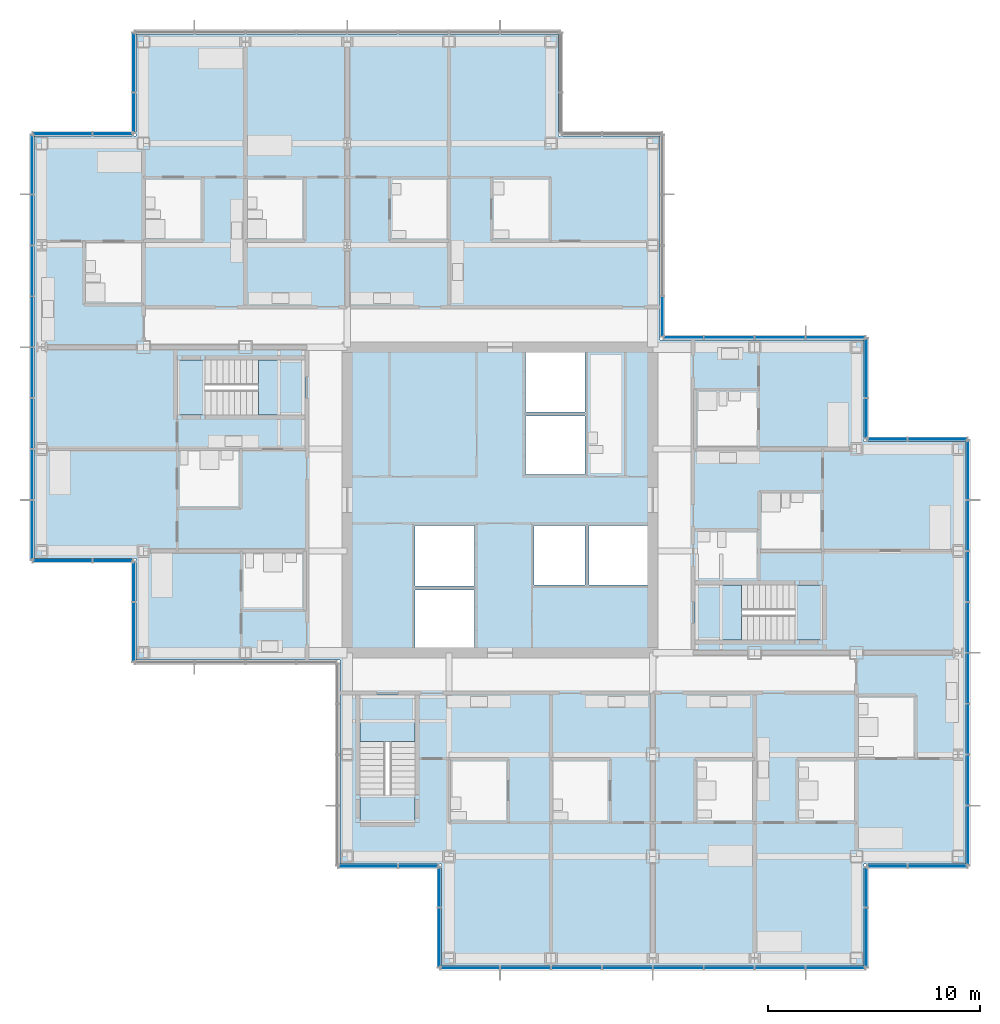
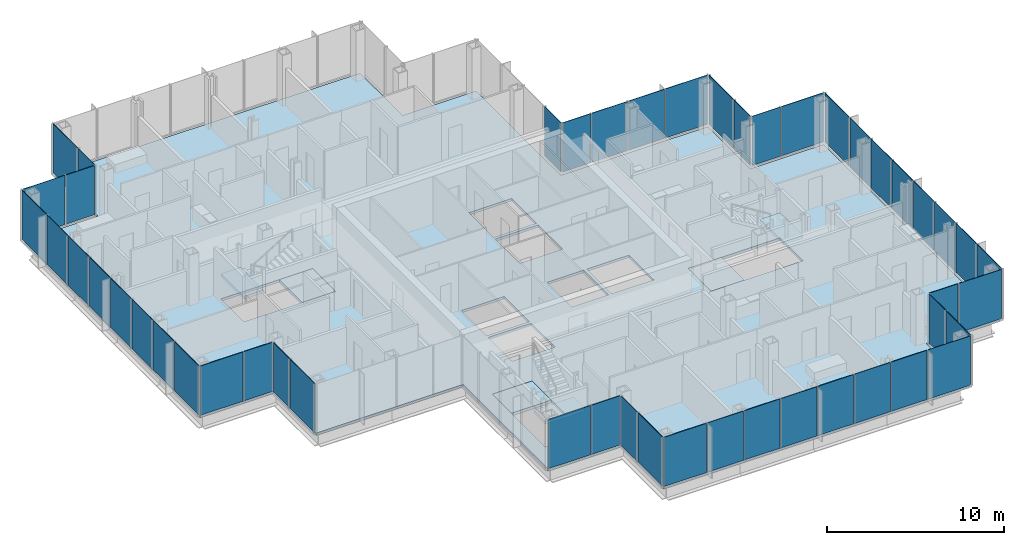
# One storey, part 12 of 20: 49 plates, 7 slabs, 18 elements without a shape of their own.
"""IFC4 building model written with IfcOpenShell, lengths in metres."""

from ifc_helpers import new_model, si_unit, direction, frame, origin, origin_2d, place, context, subcontext, project, spatial, polyline, rectangle, outline, extrude, material, layer, layer_set, type_object, element, aggregate, save


model = new_model("IFC4")

# Units and contexts
model_context = context("Model", 3, precision=1e-05, world=origin(), true_north=direction((0.0, 1.0)))
body_context = subcontext(model_context, "Body", "Model", "MODEL_VIEW")
ifc_project = project(units=[si_unit("LENGTHUNIT", "METRE"), si_unit("AREAUNIT", "SQUARE_METRE"), si_unit("VOLUMEUNIT", "CUBIC_METRE"), si_unit("PLANEANGLEUNIT", "RADIAN"), si_unit("MASSUNIT", "GRAM", prefix="KILO")], contexts=[model_context])

# Site, building, storey
site_placement = place(None, origin())
site = spatial("IfcSite", under=ifc_project, at=site_placement, CompositionType="ELEMENT")
building_placement = place(site_placement, origin())
building = spatial("IfcBuilding", under=site, at=building_placement, Name="Kvirike Care Tower", CompositionType="ELEMENT")
storey_placement = place(building_placement, frame((0.0, 0.0, 112.0)))
storey = spatial("IfcBuildingStorey", under=building, at=storey_placement, Name="L30", CompositionType="ELEMENT", Elevation=112.0)

# Slab
ifc_material_1 = material(Name="Concrete C35/45", Category="concrete")
ifc_layer_1 = layer(ifc_material_1, 0.169921875)
ifc_layer_set_1 = layer_set([ifc_layer_1], Name="FLOOR SLAB 170")
slab_type_1 = type_object("IfcSlabType", Name="FLOOR SLAB 170", PredefinedType="FLOOR", material=ifc_layer_set_1)
slab_1_placement = place(storey_placement, frame((0.0, 0.0, -0.169921875)))
element("IfcSlab", 1, at=slab_1_placement, inside=storey, type_object=slab_type_1, Name="Floor slab L30", PredefinedType="FLOOR", context=body_context, shape_type="SweptSolid", body=[
    extrude(outline(polyline([(43.550048828125, 18.85009765625), (43.550048828125, 38.75), (38.75, 38.75), (38.75, 43.550048828125), (29.14990234375, 43.550048828125), (29.14990234375, 53.14990234375), (24.35009765625, 53.14990234375), (24.35009765625, 57.949951171875), (4.449951171875, 57.949951171875), (4.449951171875, 53.14990234375), (-0.35009765625, 53.14990234375), (-0.35009765625, 33.25), (4.449951171875, 33.25), (4.449951171875, 28.449951171875), (14.050048828125, 28.449951171875), (14.050048828125, 18.85009765625), (18.85009765625, 18.85009765625), (18.85009765625, 14.050048828125), (38.75, 14.050048828125), (38.75, 18.85009765625), (43.550048828125, 18.85009765625)]), holes=[polyline([(17.60009765625, 29.050048828125), (17.60009765625, 31.75), (20.39990234375, 31.75), (20.39990234375, 29.050048828125), (17.60009765625, 29.050048828125)]), polyline([(17.60009765625, 31.949951171875), (17.60009765625, 34.800048828125), (20.39990234375, 34.800048828125), (20.39990234375, 31.949951171875), (17.60009765625, 31.949951171875)]), polyline([(22.800048828125, 37.199951171875), (22.800048828125, 39.949951171875), (25.60009765625, 39.949951171875), (25.60009765625, 37.199951171875), (22.800048828125, 37.199951171875)]), polyline([(22.800048828125, 40.14990234375), (22.800048828125, 42.949951171875), (25.60009765625, 42.949951171875), (25.60009765625, 40.14990234375), (22.800048828125, 40.14990234375)]), polyline([(23.199951171875, 32.0), (23.199951171875, 34.800048828125), (25.60009765625, 34.800048828125), (25.60009765625, 32.0), (23.199951171875, 32.0)]), polyline([(25.800048828125, 32.0), (25.800048828125, 34.800048828125), (28.550048828125, 34.800048828125), (28.550048828125, 32.0), (25.800048828125, 32.0)]), polyline([(12.39990234375, 42.60009765625), (12.39990234375, 40.0), (6.39990234375, 40.0), (6.39990234375, 42.60009765625), (12.39990234375, 42.60009765625)]), polyline([(30.800048828125, 29.39990234375), (30.800048828125, 32.0), (36.800048828125, 32.0), (36.800048828125, 29.39990234375), (30.800048828125, 29.39990234375)]), polyline([(15.0, 26.800048828125), (17.60009765625, 26.800048828125), (17.60009765625, 20.800048828125), (15.0, 20.800048828125), (15.0, 26.800048828125)])]), origin(), (0.0, 0.0, 1.0), 0.169921875),
])

# Stair, slabs
ifc_material_2 = material(Name="Concrete C35/45", Category="concrete")
stair_type = type_object("IfcStairType", Name="STAIR 20 RISERS", PredefinedType="HALF_TURN_STAIR", material=ifc_material_2)
stair_1_placement = place(storey_placement, origin())
stair_1 = element("IfcStair", 2, at=stair_1_placement, inside=storey, type_object=stair_type, Name="Stair 1 L30", PredefinedType="HALF_TURN_STAIR")
ifc_material_3 = material(Name="Concrete C35/45", Category="concrete")
ifc_layer_2 = layer(ifc_material_3, 0.199951171875)
ifc_layer_set_2 = layer_set([ifc_layer_2], Name="STAIR LANDING 200")
slab_type_2 = type_object("IfcSlabType", Name="STAIR LANDING 200", PredefinedType="LANDING", material=ifc_layer_set_2)
slab_2_placement = place(storey_placement, frame((0.0, 0.0, -0.199951171875)))
slab_2 = element("IfcSlab", 3, at=slab_2_placement, type_object=slab_type_2, Name="Stair S1 floor landing L30", PredefinedType="LANDING", context=body_context, shape_type="SweptSolid", body=[
    extrude(outline(polyline([(10.219970703125, 42.60009765625), (10.219970703125, 40.0), (12.39990234375, 40.0), (12.39990234375, 42.60009765625), (10.219970703125, 42.60009765625)])), origin(), (0.0, 0.0, 1.0), 0.199951171875),
])
slab_3_placement = place(storey_placement, frame((0.0, 0.0, 1.550048828125)))
slab_3 = element("IfcSlab", 4, at=slab_3_placement, type_object=slab_type_2, Name="Stair S1 half landing L30-L31", PredefinedType="LANDING", context=body_context, shape_type="SweptSolid", body=[
    extrude(outline(polyline([(6.39990234375, 42.60009765625), (6.39990234375, 40.0), (7.699951171875, 40.0), (7.699951171875, 42.60009765625), (6.39990234375, 42.60009765625)])), origin(), (0.0, 0.0, 1.0), 0.199951171875),
])
aggregate(stair_1, [slab_2, slab_3])

stair_2_placement = place(storey_placement, origin())
stair_2 = element("IfcStair", 5, at=stair_2_placement, inside=storey, type_object=stair_type, Name="Stair 2 L30", PredefinedType="HALF_TURN_STAIR")
slab_4_placement = place(storey_placement, frame((0.0, 0.0, -0.199951171875)))
slab_4 = element("IfcSlab", 6, at=slab_4_placement, type_object=slab_type_2, Name="Stair S2 floor landing L30", PredefinedType="LANDING", context=body_context, shape_type="SweptSolid", body=[
    extrude(outline(polyline([(32.97998046875, 29.39990234375), (32.97998046875, 32.0), (30.800048828125, 32.0), (30.800048828125, 29.39990234375), (32.97998046875, 29.39990234375)])), origin(), (0.0, 0.0, 1.0), 0.199951171875),
])
slab_5_placement = place(storey_placement, frame((0.0, 0.0, 1.550048828125)))
slab_5 = element("IfcSlab", 7, at=slab_5_placement, type_object=slab_type_2, Name="Stair S2 half landing L30-L31", PredefinedType="LANDING", context=body_context, shape_type="SweptSolid", body=[
    extrude(outline(polyline([(36.800048828125, 29.39990234375), (36.800048828125, 32.0), (35.5, 32.0), (35.5, 29.39990234375), (36.800048828125, 29.39990234375)])), origin(), (0.0, 0.0, 1.0), 0.199951171875),
])
aggregate(stair_2, [slab_4, slab_5])

stair_3_placement = place(storey_placement, origin())
stair_3 = element("IfcStair", 8, at=stair_3_placement, inside=storey, type_object=stair_type, Name="Stair 5 L30", PredefinedType="HALF_TURN_STAIR")
slab_6_placement = place(storey_placement, frame((0.0, 0.0, -0.199951171875)))
slab_6 = element("IfcSlab", 9, at=slab_6_placement, type_object=slab_type_2, Name="Stair S5 floor landing L30", PredefinedType="LANDING", context=body_context, shape_type="SweptSolid", body=[
    extrude(outline(polyline([(15.0, 24.6201171875), (17.60009765625, 24.6201171875), (17.60009765625, 26.800048828125), (15.0, 26.800048828125), (15.0, 24.6201171875)])), origin(), (0.0, 0.0, 1.0), 0.199951171875),
])
slab_7_placement = place(storey_placement, frame((0.0, 0.0, 1.550048828125)))
slab_7 = element("IfcSlab", 10, at=slab_7_placement, type_object=slab_type_2, Name="Stair S5 half landing L30-L31", PredefinedType="LANDING", context=body_context, shape_type="SweptSolid", body=[
    extrude(outline(polyline([(15.0, 20.800048828125), (17.60009765625, 20.800048828125), (17.60009765625, 22.10009765625), (15.0, 22.10009765625), (15.0, 20.800048828125)])), origin(), (0.0, 0.0, 1.0), 0.199951171875),
])
aggregate(stair_3, [slab_6, slab_7])

# Curtain wall, plates
ifc_material_4 = material(Name="Anodised aluminium stick system", Category="aluminium")
curtain_wall_type = type_object("IfcCurtainWallType", Name="CW-B STICK CURTAIN WALL", PredefinedType="NOTDEFINED", material=ifc_material_4)
curtain_wall_1_placement = place(storey_placement, origin())
curtain_wall_1 = element("IfcCurtainWall", 11, at=curtain_wall_1_placement, inside=storey, type_object=curtain_wall_type, Name="Curtain wall L30 face 1", PredefinedType="NOTDEFINED")
ifc_material_5 = material(Name="Tinted double glazed unit", Category="glass")
ifc_layer_3 = layer(ifc_material_5, 0.035888671875)
ifc_layer_set_3 = layer_set([ifc_layer_3], Name="TINTED VISION PANEL 36")
plate_type = type_object("IfcPlateType", Name="TINTED VISION PANEL 36", PredefinedType="CURTAIN_PANEL", material=ifc_layer_set_3)
plate_1_placement = place(storey_placement, frame((43.659912109375, 20.186279296875, 0.10009765625), z_axis=(0.0, 0.0, 1.0), x_axis=(0.0, 1.0, 0.0)))
plate_1 = element("IfcPlate", 12, at=plate_1_placement, type_object=plate_type, Name="CW-B panel L30 face 1.1", PredefinedType="CURTAIN_PANEL", context=body_context, shape_type="SweptSolid", body=[
    extrude(rectangle(XDim=2.762451171875, YDim=0.035888671875, at=origin_2d()), origin(), (0.0, 0.0, 1.0), 3.39990234375),
])
plate_2_placement = place(storey_placement, frame((43.659912109375, 22.800048828125, 0.10009765625), z_axis=(0.0, 0.0, 1.0), x_axis=(0.0, 1.0, 0.0)))
plate_2 = element("IfcPlate", 13, at=plate_2_placement, type_object=plate_type, Name="CW-B panel L30 face 1.2", PredefinedType="CURTAIN_PANEL", context=body_context, shape_type="SweptSolid", body=[
    extrude(rectangle(XDim=2.3349609375, YDim=0.035888671875, at=origin_2d()), origin(), (0.0, 0.0, 1.0), 3.39990234375),
])
plate_3_placement = place(storey_placement, frame((43.659912109375, 25.199951171875, 0.10009765625), z_axis=(0.0, 0.0, 1.0), x_axis=(0.0, 1.0, 0.0)))
plate_3 = element("IfcPlate", 14, at=plate_3_placement, type_object=plate_type, Name="CW-B panel L30 face 1.3", PredefinedType="CURTAIN_PANEL", context=body_context, shape_type="SweptSolid", body=[
    extrude(rectangle(XDim=2.3349609375, YDim=0.035888671875, at=origin_2d()), origin(), (0.0, 0.0, 1.0), 3.39990234375),
])
plate_4_placement = place(storey_placement, frame((43.659912109375, 27.60009765625, 0.10009765625), z_axis=(0.0, 0.0, 1.0), x_axis=(0.0, 1.0, 0.0)))
plate_4 = element("IfcPlate", 15, at=plate_4_placement, type_object=plate_type, Name="CW-B panel L30 face 1.4", PredefinedType="CURTAIN_PANEL", context=body_context, shape_type="SweptSolid", body=[
    extrude(rectangle(XDim=2.3349609375, YDim=0.035888671875, at=origin_2d()), origin(), (0.0, 0.0, 1.0), 3.39990234375),
])
plate_5_placement = place(storey_placement, frame((43.659912109375, 30.0, 0.10009765625), z_axis=(0.0, 0.0, 1.0), x_axis=(0.0, 1.0, 0.0)))
plate_5 = element("IfcPlate", 16, at=plate_5_placement, type_object=plate_type, Name="CW-B panel L30 face 1.5", PredefinedType="CURTAIN_PANEL", context=body_context, shape_type="SweptSolid", body=[
    extrude(rectangle(XDim=2.3349609375, YDim=0.035888671875, at=origin_2d()), origin(), (0.0, 0.0, 1.0), 3.39990234375),
])
plate_6_placement = place(storey_placement, frame((43.659912109375, 32.39990234375, 0.10009765625), z_axis=(0.0, 0.0, 1.0), x_axis=(0.0, 1.0, 0.0)))
plate_6 = element("IfcPlate", 17, at=plate_6_placement, type_object=plate_type, Name="CW-B panel L30 face 1.6", PredefinedType="CURTAIN_PANEL", context=body_context, shape_type="SweptSolid", body=[
    extrude(rectangle(XDim=2.3349609375, YDim=0.035888671875, at=origin_2d()), origin(), (0.0, 0.0, 1.0), 3.39990234375),
])
plate_7_placement = place(storey_placement, frame((43.659912109375, 34.800048828125, 0.10009765625), z_axis=(0.0, 0.0, 1.0), x_axis=(0.0, 1.0, 0.0)))
plate_7 = element("IfcPlate", 18, at=plate_7_placement, type_object=plate_type, Name="CW-B panel L30 face 1.7", PredefinedType="CURTAIN_PANEL", context=body_context, shape_type="SweptSolid", body=[
    extrude(rectangle(XDim=2.3349609375, YDim=0.035888671875, at=origin_2d()), origin(), (0.0, 0.0, 1.0), 3.39990234375),
])
plate_8_placement = place(storey_placement, frame((43.659912109375, 37.413818359375, 0.10009765625), z_axis=(0.0, 0.0, 1.0), x_axis=(0.0, 1.0, 0.0)))
plate_8 = element("IfcPlate", 19, at=plate_8_placement, type_object=plate_type, Name="CW-B panel L30 face 1.8", PredefinedType="CURTAIN_PANEL", context=body_context, shape_type="SweptSolid", body=[
    extrude(rectangle(XDim=2.762451171875, YDim=0.035888671875, at=origin_2d()), origin(), (0.0, 0.0, 1.0), 3.39990234375),
])
aggregate(curtain_wall_1, [plate_1, plate_2, plate_3, plate_4, plate_5, plate_6, plate_7, plate_8])

curtain_wall_2_placement = place(storey_placement, origin())
curtain_wall_2 = element("IfcCurtainWall", 20, at=curtain_wall_2_placement, inside=storey, type_object=curtain_wall_type, Name="Curtain wall L30 face 2", PredefinedType="NOTDEFINED")
plate_9_placement = place(storey_placement, frame((42.2138671875, 38.860107421875, 0.10009765625), z_axis=(0.0, 0.0, 1.0), x_axis=(-1.0, 0.0, 0.0)))
plate_9 = element("IfcPlate", 21, at=plate_9_placement, type_object=plate_type, Name="CW-B panel L30 face 2.1", PredefinedType="CURTAIN_PANEL", context=body_context, shape_type="SweptSolid", body=[
    extrude(rectangle(XDim=2.762451171875, YDim=0.035888671875, at=origin_2d()), origin(), (0.0, 0.0, 1.0), 3.39990234375),
])
plate_10_placement = place(storey_placement, frame((39.84619140625, 38.860107421875, 0.10009765625), z_axis=(0.0, 0.0, 1.0), x_axis=(-1.0, 0.0, 0.0)))
plate_10 = element("IfcPlate", 22, at=plate_10_placement, type_object=plate_type, Name="CW-B panel L30 face 2.2", PredefinedType="CURTAIN_PANEL", context=body_context, shape_type="SweptSolid", body=[
    extrude(rectangle(XDim=1.842529296875, YDim=0.035888671875, at=origin_2d()), origin(), (0.0, 0.0, 1.0), 3.39990234375),
])
aggregate(curtain_wall_2, [plate_9, plate_10])

curtain_wall_3_placement = place(storey_placement, origin())
curtain_wall_3 = element("IfcCurtainWall", 23, at=curtain_wall_3_placement, inside=storey, type_object=curtain_wall_type, Name="Curtain wall L30 face 3", PredefinedType="NOTDEFINED")
plate_11_placement = place(storey_placement, frame((38.860107421875, 39.84619140625, 0.10009765625), z_axis=(0.0, 0.0, 1.0), x_axis=(0.0, 1.0, 0.0)))
plate_11 = element("IfcPlate", 24, at=plate_11_placement, type_object=plate_type, Name="CW-B panel L30 face 3.1", PredefinedType="CURTAIN_PANEL", context=body_context, shape_type="SweptSolid", body=[
    extrude(rectangle(XDim=1.842529296875, YDim=0.035888671875, at=origin_2d()), origin(), (0.0, 0.0, 1.0), 3.39990234375),
])
plate_12_placement = place(storey_placement, frame((38.860107421875, 42.2138671875, 0.10009765625), z_axis=(0.0, 0.0, 1.0), x_axis=(0.0, 1.0, 0.0)))
plate_12 = element("IfcPlate", 25, at=plate_12_placement, type_object=plate_type, Name="CW-B panel L30 face 3.2", PredefinedType="CURTAIN_PANEL", context=body_context, shape_type="SweptSolid", body=[
    extrude(rectangle(XDim=2.762451171875, YDim=0.035888671875, at=origin_2d()), origin(), (0.0, 0.0, 1.0), 3.39990234375),
])
aggregate(curtain_wall_3, [plate_11, plate_12])

curtain_wall_4_placement = place(storey_placement, origin())
curtain_wall_4 = element("IfcCurtainWall", 26, at=curtain_wall_4_placement, inside=storey, type_object=curtain_wall_type, Name="Curtain wall L30 face 4", PredefinedType="NOTDEFINED")
plate_13_placement = place(storey_placement, frame((37.413818359375, 43.659912109375, 0.10009765625), z_axis=(0.0, 0.0, 1.0), x_axis=(-1.0, 0.0, 0.0)))
plate_13 = element("IfcPlate", 27, at=plate_13_placement, type_object=plate_type, Name="CW-B panel L30 face 4.1", PredefinedType="CURTAIN_PANEL", context=body_context, shape_type="SweptSolid", body=[
    extrude(rectangle(XDim=2.762451171875, YDim=0.035888671875, at=origin_2d()), origin(), (0.0, 0.0, 1.0), 3.39990234375),
])
plate_14_placement = place(storey_placement, frame((34.800048828125, 43.659912109375, 0.10009765625), z_axis=(0.0, 0.0, 1.0), x_axis=(-1.0, 0.0, 0.0)))
plate_14 = element("IfcPlate", 28, at=plate_14_placement, type_object=plate_type, Name="CW-B panel L30 face 4.2", PredefinedType="CURTAIN_PANEL", context=body_context, shape_type="SweptSolid", body=[
    extrude(rectangle(XDim=2.3349609375, YDim=0.035888671875, at=origin_2d()), origin(), (0.0, 0.0, 1.0), 3.39990234375),
])
plate_15_placement = place(storey_placement, frame((32.39990234375, 43.659912109375, 0.10009765625), z_axis=(0.0, 0.0, 1.0), x_axis=(-1.0, 0.0, 0.0)))
plate_15 = element("IfcPlate", 29, at=plate_15_placement, type_object=plate_type, Name="CW-B panel L30 face 4.3", PredefinedType="CURTAIN_PANEL", context=body_context, shape_type="SweptSolid", body=[
    extrude(rectangle(XDim=2.3349609375, YDim=0.035888671875, at=origin_2d()), origin(), (0.0, 0.0, 1.0), 3.39990234375),
])
plate_16_placement = place(storey_placement, frame((30.246337890625, 43.659912109375, 0.10009765625), z_axis=(0.0, 0.0, 1.0), x_axis=(-1.0, 0.0, 0.0)))
plate_16 = element("IfcPlate", 30, at=plate_16_placement, type_object=plate_type, Name="CW-B panel L30 face 4.4", PredefinedType="CURTAIN_PANEL", context=body_context, shape_type="SweptSolid", body=[
    extrude(rectangle(XDim=1.842529296875, YDim=0.035888671875, at=origin_2d()), origin(), (0.0, 0.0, 1.0), 3.39990234375),
])
aggregate(curtain_wall_4, [plate_13, plate_14, plate_15, plate_16])

# Curtain wall, plate
curtain_wall_5_placement = place(storey_placement, origin())
curtain_wall_5 = element("IfcCurtainWall", 31, at=curtain_wall_5_placement, inside=storey, type_object=curtain_wall_type, Name="Curtain wall L30 face 5", PredefinedType="NOTDEFINED")
plate_17_placement = place(storey_placement, frame((29.260009765625, 44.646240234375, 0.10009765625), z_axis=(0.0, 0.0, 1.0), x_axis=(0.0, 1.0, 0.0)))
plate_17 = element("IfcPlate", 32, at=plate_17_placement, type_object=plate_type, Name="CW-B panel L30 face 5.1", PredefinedType="CURTAIN_PANEL", context=body_context, shape_type="SweptSolid", body=[
    extrude(rectangle(XDim=1.842529296875, YDim=0.035888671875, at=origin_2d()), origin(), (0.0, 0.0, 1.0), 3.39990234375),
])
aggregate(curtain_wall_5, [plate_17])

# Curtain wall, plates
curtain_wall_6_placement = place(storey_placement, origin())
curtain_wall_6 = element("IfcCurtainWall", 33, at=curtain_wall_6_placement, inside=storey, type_object=curtain_wall_type, Name="Curtain wall L30 face 9", PredefinedType="NOTDEFINED")
plate_18_placement = place(storey_placement, frame((4.340087890625, 56.61376953125, 0.10009765625), z_axis=(0.0, 0.0, 1.0), x_axis=(0.0, -1.0, 0.0)))
plate_18 = element("IfcPlate", 34, at=plate_18_placement, type_object=plate_type, Name="CW-B panel L30 face 9.1", PredefinedType="CURTAIN_PANEL", context=body_context, shape_type="SweptSolid", body=[
    extrude(rectangle(XDim=2.762451171875, YDim=0.035888671875, at=origin_2d()), origin(), (0.0, 0.0, 1.0), 3.39990234375),
])
plate_19_placement = place(storey_placement, frame((4.340087890625, 54.246337890625, 0.10009765625), z_axis=(0.0, 0.0, 1.0), x_axis=(0.0, -1.0, 0.0)))
plate_19 = element("IfcPlate", 35, at=plate_19_placement, type_object=plate_type, Name="CW-B panel L30 face 9.2", PredefinedType="CURTAIN_PANEL", context=body_context, shape_type="SweptSolid", body=[
    extrude(rectangle(XDim=1.842529296875, YDim=0.035888671875, at=origin_2d()), origin(), (0.0, 0.0, 1.0), 3.39990234375),
])
aggregate(curtain_wall_6, [plate_18, plate_19])

curtain_wall_7_placement = place(storey_placement, origin())
curtain_wall_7 = element("IfcCurtainWall", 36, at=curtain_wall_7_placement, inside=storey, type_object=curtain_wall_type, Name="Curtain wall L30 face 10", PredefinedType="NOTDEFINED")
plate_20_placement = place(storey_placement, frame((3.353759765625, 53.260009765625, 0.10009765625), z_axis=(0.0, 0.0, 1.0), x_axis=(-1.0, 0.0, 0.0)))
plate_20 = element("IfcPlate", 37, at=plate_20_placement, type_object=plate_type, Name="CW-B panel L30 face 10.1", PredefinedType="CURTAIN_PANEL", context=body_context, shape_type="SweptSolid", body=[
    extrude(rectangle(XDim=1.842529296875, YDim=0.035888671875, at=origin_2d()), origin(), (0.0, 0.0, 1.0), 3.39990234375),
])
plate_21_placement = place(storey_placement, frame((0.986328125, 53.260009765625, 0.10009765625), z_axis=(0.0, 0.0, 1.0), x_axis=(-1.0, 0.0, 0.0)))
plate_21 = element("IfcPlate", 38, at=plate_21_placement, type_object=plate_type, Name="CW-B panel L30 face 10.2", PredefinedType="CURTAIN_PANEL", context=body_context, shape_type="SweptSolid", body=[
    extrude(rectangle(XDim=2.762451171875, YDim=0.035888671875, at=origin_2d()), origin(), (0.0, 0.0, 1.0), 3.39990234375),
])
aggregate(curtain_wall_7, [plate_20, plate_21])

curtain_wall_8_placement = place(storey_placement, origin())
curtain_wall_8 = element("IfcCurtainWall", 39, at=curtain_wall_8_placement, inside=storey, type_object=curtain_wall_type, Name="Curtain wall L30 face 11", PredefinedType="NOTDEFINED")
plate_22_placement = place(storey_placement, frame((-0.4599609375, 51.813720703125, 0.10009765625), z_axis=(0.0, 0.0, 1.0), x_axis=(0.0, -1.0, 0.0)))
plate_22 = element("IfcPlate", 40, at=plate_22_placement, type_object=plate_type, Name="CW-B panel L30 face 11.1", PredefinedType="CURTAIN_PANEL", context=body_context, shape_type="SweptSolid", body=[
    extrude(rectangle(XDim=2.762451171875, YDim=0.035888671875, at=origin_2d()), origin(), (0.0, 0.0, 1.0), 3.39990234375),
])
plate_23_placement = place(storey_placement, frame((-0.4599609375, 49.199951171875, 0.10009765625), z_axis=(0.0, 0.0, 1.0), x_axis=(0.0, -1.0, 0.0)))
plate_23 = element("IfcPlate", 41, at=plate_23_placement, type_object=plate_type, Name="CW-B panel L30 face 11.2", PredefinedType="CURTAIN_PANEL", context=body_context, shape_type="SweptSolid", body=[
    extrude(rectangle(XDim=2.3349609375, YDim=0.035888671875, at=origin_2d()), origin(), (0.0, 0.0, 1.0), 3.39990234375),
])
plate_24_placement = place(storey_placement, frame((-0.4599609375, 46.800048828125, 0.10009765625), z_axis=(0.0, 0.0, 1.0), x_axis=(0.0, -1.0, 0.0)))
plate_24 = element("IfcPlate", 42, at=plate_24_placement, type_object=plate_type, Name="CW-B panel L30 face 11.3", PredefinedType="CURTAIN_PANEL", context=body_context, shape_type="SweptSolid", body=[
    extrude(rectangle(XDim=2.3349609375, YDim=0.035888671875, at=origin_2d()), origin(), (0.0, 0.0, 1.0), 3.39990234375),
])
plate_25_placement = place(storey_placement, frame((-0.4599609375, 44.39990234375, 0.10009765625), z_axis=(0.0, 0.0, 1.0), x_axis=(0.0, -1.0, 0.0)))
plate_25 = element("IfcPlate", 43, at=plate_25_placement, type_object=plate_type, Name="CW-B panel L30 face 11.4", PredefinedType="CURTAIN_PANEL", context=body_context, shape_type="SweptSolid", body=[
    extrude(rectangle(XDim=2.3349609375, YDim=0.035888671875, at=origin_2d()), origin(), (0.0, 0.0, 1.0), 3.39990234375),
])
plate_26_placement = place(storey_placement, frame((-0.4599609375, 42.0, 0.10009765625), z_axis=(0.0, 0.0, 1.0), x_axis=(0.0, -1.0, 0.0)))
plate_26 = element("IfcPlate", 44, at=plate_26_placement, type_object=plate_type, Name="CW-B panel L30 face 11.5", PredefinedType="CURTAIN_PANEL", context=body_context, shape_type="SweptSolid", body=[
    extrude(rectangle(XDim=2.3349609375, YDim=0.035888671875, at=origin_2d()), origin(), (0.0, 0.0, 1.0), 3.39990234375),
])
plate_27_placement = place(storey_placement, frame((-0.4599609375, 39.60009765625, 0.10009765625), z_axis=(0.0, 0.0, 1.0), x_axis=(0.0, -1.0, 0.0)))
plate_27 = element("IfcPlate", 45, at=plate_27_placement, type_object=plate_type, Name="CW-B panel L30 face 11.6", PredefinedType="CURTAIN_PANEL", context=body_context, shape_type="SweptSolid", body=[
    extrude(rectangle(XDim=2.3349609375, YDim=0.035888671875, at=origin_2d()), origin(), (0.0, 0.0, 1.0), 3.39990234375),
])
plate_28_placement = place(storey_placement, frame((-0.4599609375, 37.199951171875, 0.10009765625), z_axis=(0.0, 0.0, 1.0), x_axis=(0.0, -1.0, 0.0)))
plate_28 = element("IfcPlate", 46, at=plate_28_placement, type_object=plate_type, Name="CW-B panel L30 face 11.7", PredefinedType="CURTAIN_PANEL", context=body_context, shape_type="SweptSolid", body=[
    extrude(rectangle(XDim=2.3349609375, YDim=0.035888671875, at=origin_2d()), origin(), (0.0, 0.0, 1.0), 3.39990234375),
])
plate_29_placement = place(storey_placement, frame((-0.4599609375, 34.586181640625, 0.10009765625), z_axis=(0.0, 0.0, 1.0), x_axis=(0.0, -1.0, 0.0)))
plate_29 = element("IfcPlate", 47, at=plate_29_placement, type_object=plate_type, Name="CW-B panel L30 face 11.8", PredefinedType="CURTAIN_PANEL", context=body_context, shape_type="SweptSolid", body=[
    extrude(rectangle(XDim=2.762451171875, YDim=0.035888671875, at=origin_2d()), origin(), (0.0, 0.0, 1.0), 3.39990234375),
])
aggregate(curtain_wall_8, [plate_22, plate_23, plate_24, plate_25, plate_26, plate_27, plate_28, plate_29])

curtain_wall_9_placement = place(storey_placement, origin())
curtain_wall_9 = element("IfcCurtainWall", 48, at=curtain_wall_9_placement, inside=storey, type_object=curtain_wall_type, Name="Curtain wall L30 face 12", PredefinedType="NOTDEFINED")
plate_30_placement = place(storey_placement, frame((0.986328125, 33.139892578125, 0.10009765625), z_axis=(0.0, 0.0, 1.0), x_axis=(1.0, 0.0, 0.0)))
plate_30 = element("IfcPlate", 49, at=plate_30_placement, type_object=plate_type, Name="CW-B panel L30 face 12.1", PredefinedType="CURTAIN_PANEL", context=body_context, shape_type="SweptSolid", body=[
    extrude(rectangle(XDim=2.762451171875, YDim=0.035888671875, at=origin_2d()), origin(), (0.0, 0.0, 1.0), 3.39990234375),
])
plate_31_placement = place(storey_placement, frame((3.353759765625, 33.139892578125, 0.10009765625), z_axis=(0.0, 0.0, 1.0), x_axis=(1.0, 0.0, 0.0)))
plate_31 = element("IfcPlate", 50, at=plate_31_placement, type_object=plate_type, Name="CW-B panel L30 face 12.2", PredefinedType="CURTAIN_PANEL", context=body_context, shape_type="SweptSolid", body=[
    extrude(rectangle(XDim=1.842529296875, YDim=0.035888671875, at=origin_2d()), origin(), (0.0, 0.0, 1.0), 3.39990234375),
])
aggregate(curtain_wall_9, [plate_30, plate_31])

curtain_wall_10_placement = place(storey_placement, origin())
curtain_wall_10 = element("IfcCurtainWall", 51, at=curtain_wall_10_placement, inside=storey, type_object=curtain_wall_type, Name="Curtain wall L30 face 13", PredefinedType="NOTDEFINED")
plate_32_placement = place(storey_placement, frame((4.340087890625, 32.15380859375, 0.10009765625), z_axis=(0.0, 0.0, 1.0), x_axis=(0.0, -1.0, 0.0)))
plate_32 = element("IfcPlate", 52, at=plate_32_placement, type_object=plate_type, Name="CW-B panel L30 face 13.1", PredefinedType="CURTAIN_PANEL", context=body_context, shape_type="SweptSolid", body=[
    extrude(rectangle(XDim=1.842529296875, YDim=0.035888671875, at=origin_2d()), origin(), (0.0, 0.0, 1.0), 3.39990234375),
])
plate_33_placement = place(storey_placement, frame((4.340087890625, 29.7861328125, 0.10009765625), z_axis=(0.0, 0.0, 1.0), x_axis=(0.0, -1.0, 0.0)))
plate_33 = element("IfcPlate", 53, at=plate_33_placement, type_object=plate_type, Name="CW-B panel L30 face 13.2", PredefinedType="CURTAIN_PANEL", context=body_context, shape_type="SweptSolid", body=[
    extrude(rectangle(XDim=2.762451171875, YDim=0.035888671875, at=origin_2d()), origin(), (0.0, 0.0, 1.0), 3.39990234375),
])
aggregate(curtain_wall_10, [plate_32, plate_33])

curtain_wall_11_placement = place(storey_placement, origin())
curtain_wall_11 = element("IfcCurtainWall", 54, at=curtain_wall_11_placement, inside=storey, type_object=curtain_wall_type, Name="Curtain wall L30 face 16", PredefinedType="NOTDEFINED")
plate_34_placement = place(storey_placement, frame((15.38623046875, 18.739990234375, 0.10009765625), z_axis=(0.0, 0.0, 1.0), x_axis=(1.0, 0.0, 0.0)))
plate_34 = element("IfcPlate", 55, at=plate_34_placement, type_object=plate_type, Name="CW-B panel L30 face 16.1", PredefinedType="CURTAIN_PANEL", context=body_context, shape_type="SweptSolid", body=[
    extrude(rectangle(XDim=2.762451171875, YDim=0.035888671875, at=origin_2d()), origin(), (0.0, 0.0, 1.0), 3.39990234375),
])
plate_35_placement = place(storey_placement, frame((17.753662109375, 18.739990234375, 0.10009765625), z_axis=(0.0, 0.0, 1.0), x_axis=(1.0, 0.0, 0.0)))
plate_35 = element("IfcPlate", 56, at=plate_35_placement, type_object=plate_type, Name="CW-B panel L30 face 16.2", PredefinedType="CURTAIN_PANEL", context=body_context, shape_type="SweptSolid", body=[
    extrude(rectangle(XDim=1.842529296875, YDim=0.035888671875, at=origin_2d()), origin(), (0.0, 0.0, 1.0), 3.39990234375),
])
aggregate(curtain_wall_11, [plate_34, plate_35])

curtain_wall_12_placement = place(storey_placement, origin())
curtain_wall_12 = element("IfcCurtainWall", 57, at=curtain_wall_12_placement, inside=storey, type_object=curtain_wall_type, Name="Curtain wall L30 face 17", PredefinedType="NOTDEFINED")
plate_36_placement = place(storey_placement, frame((18.739990234375, 17.753662109375, 0.10009765625), z_axis=(0.0, 0.0, 1.0), x_axis=(0.0, -1.0, 0.0)))
plate_36 = element("IfcPlate", 58, at=plate_36_placement, type_object=plate_type, Name="CW-B panel L30 face 17.1", PredefinedType="CURTAIN_PANEL", context=body_context, shape_type="SweptSolid", body=[
    extrude(rectangle(XDim=1.842529296875, YDim=0.035888671875, at=origin_2d()), origin(), (0.0, 0.0, 1.0), 3.39990234375),
])
plate_37_placement = place(storey_placement, frame((18.739990234375, 15.38623046875, 0.10009765625), z_axis=(0.0, 0.0, 1.0), x_axis=(0.0, -1.0, 0.0)))
plate_37 = element("IfcPlate", 59, at=plate_37_placement, type_object=plate_type, Name="CW-B panel L30 face 17.2", PredefinedType="CURTAIN_PANEL", context=body_context, shape_type="SweptSolid", body=[
    extrude(rectangle(XDim=2.762451171875, YDim=0.035888671875, at=origin_2d()), origin(), (0.0, 0.0, 1.0), 3.39990234375),
])
aggregate(curtain_wall_12, [plate_36, plate_37])

curtain_wall_13_placement = place(storey_placement, origin())
curtain_wall_13 = element("IfcCurtainWall", 60, at=curtain_wall_13_placement, inside=storey, type_object=curtain_wall_type, Name="Curtain wall L30 face 18", PredefinedType="NOTDEFINED")
plate_38_placement = place(storey_placement, frame((20.186279296875, 13.93994140625, 0.10009765625), z_axis=(0.0, 0.0, 1.0), x_axis=(1.0, 0.0, 0.0)))
plate_38 = element("IfcPlate", 61, at=plate_38_placement, type_object=plate_type, Name="CW-B panel L30 face 18.1", PredefinedType="CURTAIN_PANEL", context=body_context, shape_type="SweptSolid", body=[
    extrude(rectangle(XDim=2.762451171875, YDim=0.035888671875, at=origin_2d()), origin(), (0.0, 0.0, 1.0), 3.39990234375),
])
plate_39_placement = place(storey_placement, frame((22.800048828125, 13.93994140625, 0.10009765625), z_axis=(0.0, 0.0, 1.0), x_axis=(1.0, 0.0, 0.0)))
plate_39 = element("IfcPlate", 62, at=plate_39_placement, type_object=plate_type, Name="CW-B panel L30 face 18.2", PredefinedType="CURTAIN_PANEL", context=body_context, shape_type="SweptSolid", body=[
    extrude(rectangle(XDim=2.3349609375, YDim=0.035888671875, at=origin_2d()), origin(), (0.0, 0.0, 1.0), 3.39990234375),
])
plate_40_placement = place(storey_placement, frame((25.199951171875, 13.93994140625, 0.10009765625), z_axis=(0.0, 0.0, 1.0), x_axis=(1.0, 0.0, 0.0)))
plate_40 = element("IfcPlate", 63, at=plate_40_placement, type_object=plate_type, Name="CW-B panel L30 face 18.3", PredefinedType="CURTAIN_PANEL", context=body_context, shape_type="SweptSolid", body=[
    extrude(rectangle(XDim=2.3349609375, YDim=0.035888671875, at=origin_2d()), origin(), (0.0, 0.0, 1.0), 3.39990234375),
])
plate_41_placement = place(storey_placement, frame((27.60009765625, 13.93994140625, 0.10009765625), z_axis=(0.0, 0.0, 1.0), x_axis=(1.0, 0.0, 0.0)))
plate_41 = element("IfcPlate", 64, at=plate_41_placement, type_object=plate_type, Name="CW-B panel L30 face 18.4", PredefinedType="CURTAIN_PANEL", context=body_context, shape_type="SweptSolid", body=[
    extrude(rectangle(XDim=2.3349609375, YDim=0.035888671875, at=origin_2d()), origin(), (0.0, 0.0, 1.0), 3.39990234375),
])
plate_42_placement = place(storey_placement, frame((30.0, 13.93994140625, 0.10009765625), z_axis=(0.0, 0.0, 1.0), x_axis=(1.0, 0.0, 0.0)))
plate_42 = element("IfcPlate", 65, at=plate_42_placement, type_object=plate_type, Name="CW-B panel L30 face 18.5", PredefinedType="CURTAIN_PANEL", context=body_context, shape_type="SweptSolid", body=[
    extrude(rectangle(XDim=2.3349609375, YDim=0.035888671875, at=origin_2d()), origin(), (0.0, 0.0, 1.0), 3.39990234375),
])
plate_43_placement = place(storey_placement, frame((32.39990234375, 13.93994140625, 0.10009765625), z_axis=(0.0, 0.0, 1.0), x_axis=(1.0, 0.0, 0.0)))
plate_43 = element("IfcPlate", 66, at=plate_43_placement, type_object=plate_type, Name="CW-B panel L30 face 18.6", PredefinedType="CURTAIN_PANEL", context=body_context, shape_type="SweptSolid", body=[
    extrude(rectangle(XDim=2.3349609375, YDim=0.035888671875, at=origin_2d()), origin(), (0.0, 0.0, 1.0), 3.39990234375),
])
plate_44_placement = place(storey_placement, frame((34.800048828125, 13.93994140625, 0.10009765625), z_axis=(0.0, 0.0, 1.0), x_axis=(1.0, 0.0, 0.0)))
plate_44 = element("IfcPlate", 67, at=plate_44_placement, type_object=plate_type, Name="CW-B panel L30 face 18.7", PredefinedType="CURTAIN_PANEL", context=body_context, shape_type="SweptSolid", body=[
    extrude(rectangle(XDim=2.3349609375, YDim=0.035888671875, at=origin_2d()), origin(), (0.0, 0.0, 1.0), 3.39990234375),
])
plate_45_placement = place(storey_placement, frame((37.413818359375, 13.93994140625, 0.10009765625), z_axis=(0.0, 0.0, 1.0), x_axis=(1.0, 0.0, 0.0)))
plate_45 = element("IfcPlate", 68, at=plate_45_placement, type_object=plate_type, Name="CW-B panel L30 face 18.8", PredefinedType="CURTAIN_PANEL", context=body_context, shape_type="SweptSolid", body=[
    extrude(rectangle(XDim=2.762451171875, YDim=0.035888671875, at=origin_2d()), origin(), (0.0, 0.0, 1.0), 3.39990234375),
])
aggregate(curtain_wall_13, [plate_38, plate_39, plate_40, plate_41, plate_42, plate_43, plate_44, plate_45])

curtain_wall_14_placement = place(storey_placement, origin())
curtain_wall_14 = element("IfcCurtainWall", 69, at=curtain_wall_14_placement, inside=storey, type_object=curtain_wall_type, Name="Curtain wall L30 face 19", PredefinedType="NOTDEFINED")
plate_46_placement = place(storey_placement, frame((38.860107421875, 15.38623046875, 0.10009765625), z_axis=(0.0, 0.0, 1.0), x_axis=(0.0, 1.0, 0.0)))
plate_46 = element("IfcPlate", 70, at=plate_46_placement, type_object=plate_type, Name="CW-B panel L30 face 19.1", PredefinedType="CURTAIN_PANEL", context=body_context, shape_type="SweptSolid", body=[
    extrude(rectangle(XDim=2.762451171875, YDim=0.035888671875, at=origin_2d()), origin(), (0.0, 0.0, 1.0), 3.39990234375),
])
plate_47_placement = place(storey_placement, frame((38.860107421875, 17.753662109375, 0.10009765625), z_axis=(0.0, 0.0, 1.0), x_axis=(0.0, 1.0, 0.0)))
plate_47 = element("IfcPlate", 71, at=plate_47_placement, type_object=plate_type, Name="CW-B panel L30 face 19.2", PredefinedType="CURTAIN_PANEL", context=body_context, shape_type="SweptSolid", body=[
    extrude(rectangle(XDim=1.842529296875, YDim=0.035888671875, at=origin_2d()), origin(), (0.0, 0.0, 1.0), 3.39990234375),
])
aggregate(curtain_wall_14, [plate_46, plate_47])

curtain_wall_15_placement = place(storey_placement, origin())
curtain_wall_15 = element("IfcCurtainWall", 72, at=curtain_wall_15_placement, inside=storey, type_object=curtain_wall_type, Name="Curtain wall L30 face 20", PredefinedType="NOTDEFINED")
plate_48_placement = place(storey_placement, frame((39.84619140625, 18.739990234375, 0.10009765625), z_axis=(0.0, 0.0, 1.0), x_axis=(1.0, 0.0, 0.0)))
plate_48 = element("IfcPlate", 73, at=plate_48_placement, type_object=plate_type, Name="CW-B panel L30 face 20.1", PredefinedType="CURTAIN_PANEL", context=body_context, shape_type="SweptSolid", body=[
    extrude(rectangle(XDim=1.842529296875, YDim=0.035888671875, at=origin_2d()), origin(), (0.0, 0.0, 1.0), 3.39990234375),
])
plate_49_placement = place(storey_placement, frame((42.2138671875, 18.739990234375, 0.10009765625), z_axis=(0.0, 0.0, 1.0), x_axis=(1.0, 0.0, 0.0)))
plate_49 = element("IfcPlate", 74, at=plate_49_placement, type_object=plate_type, Name="CW-B panel L30 face 20.2", PredefinedType="CURTAIN_PANEL", context=body_context, shape_type="SweptSolid", body=[
    extrude(rectangle(XDim=2.762451171875, YDim=0.035888671875, at=origin_2d()), origin(), (0.0, 0.0, 1.0), 3.39990234375),
])
aggregate(curtain_wall_15, [plate_48, plate_49])

save(model, "model.ifc")
